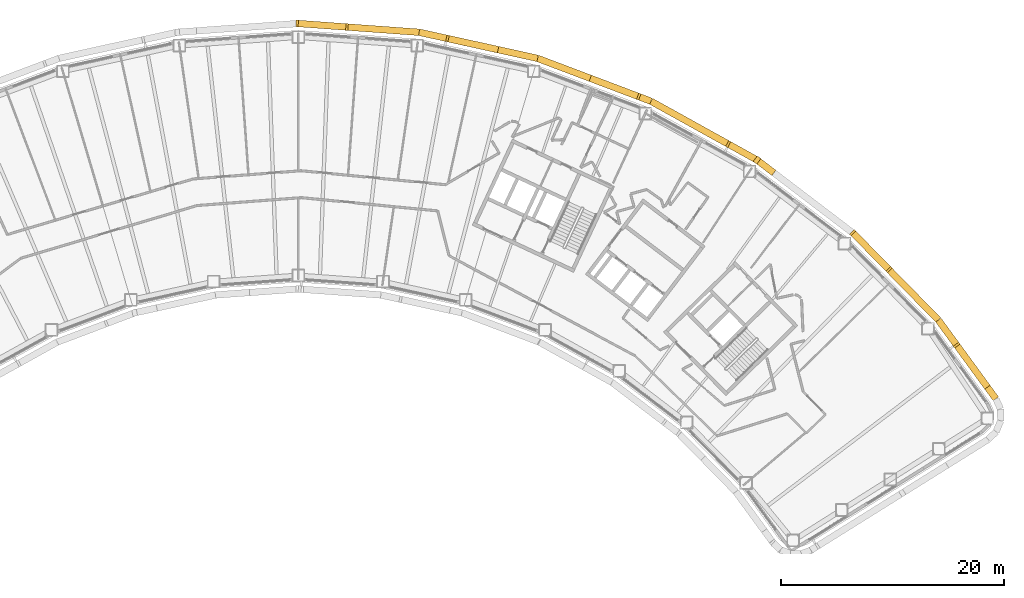
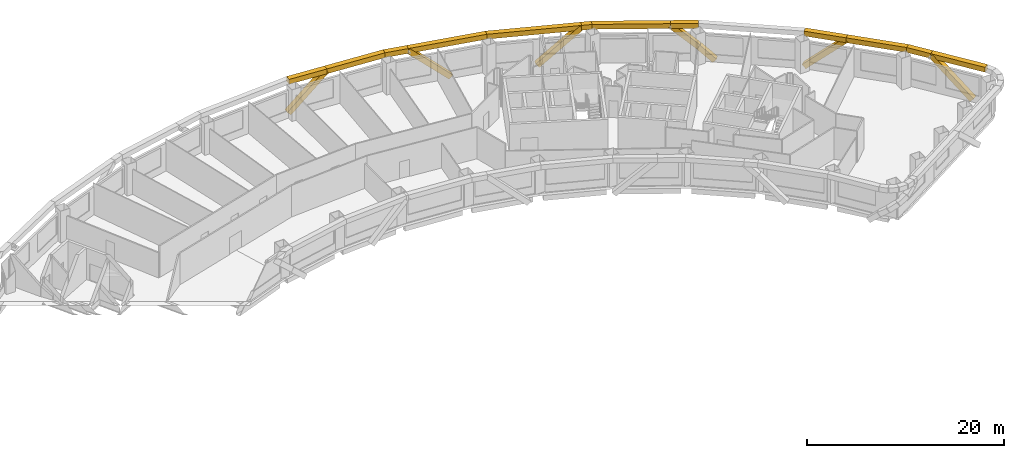
# One storey, part 15 of 16: 19 coverings.
"""IFC4 building model written with IfcOpenShell, lengths in metres."""

from ifc_helpers import new_model, si_unit, direction, frame, origin, origin_2d, place, context, subcontext, project, spatial, rectangle, extrude, material, material_profile, profile_set, type_object, element, save


model = new_model("IFC4")

# Units and contexts
model_context = context("Model", 3, precision=1e-05, world=origin(), true_north=direction((0.0, 1.0)))
body_context = subcontext(model_context, "Body", "Model", "MODEL_VIEW")
ifc_project = project(units=[si_unit("LENGTHUNIT", "METRE"), si_unit("AREAUNIT", "SQUARE_METRE"), si_unit("VOLUMEUNIT", "CUBIC_METRE"), si_unit("PLANEANGLEUNIT", "RADIAN"), si_unit("MASSUNIT", "GRAM", prefix="KILO")], contexts=[model_context])

# Site, building, storey
site_placement = place(None, origin())
site = spatial("IfcSite", under=ifc_project, at=site_placement, CompositionType="ELEMENT")
building_placement = place(site_placement, origin())
building = spatial("IfcBuilding", under=site, at=building_placement, Name="Tuul Gate Civic Tower", CompositionType="ELEMENT")
storey_placement = place(building_placement, frame((0.0, 0.0, 124.5)))
storey = spatial("IfcBuildingStorey", under=building, at=storey_placement, Name="Level 28", CompositionType="ELEMENT", Elevation=124.5)

# Coverings
ifc_material = material(Name="Terracotta baguette", Category="masonry")
ifc_material_profile = material_profile(ifc_material, rectangle(XDim=0.60009765625, YDim=0.60009765625, at=origin_2d()), Name="Terracotta baguette screen frame")
ifc_profile_set = profile_set([ifc_material_profile], Name="Terracotta baguette")
covering_type = type_object("IfcCoveringType", Name="Terracotta baguette screen frame", PredefinedType="CLADDING", material=ifc_profile_set)
covering_1_placement = place(storey_placement, frame((71.388427734375, -17.49755859375, -0.35009765625), z_axis=(-0.433801162455, 0.593931487153, 0.6775410984), x_axis=(-0.807537279361, -0.589816532866, 0.0)))
element("IfcCovering", 1, at=covering_1_placement, inside=storey, type_object=covering_type, Name="Baguette 20", PredefinedType="CLADDING", context=body_context, shape_type="SweptSolid", body=[
    extrude(rectangle(XDim=0.60009765625, YDim=0.60009765625, at=origin_2d()), origin(), (0.0, 0.0, 1.0), 6.19921875),
])
covering_2_placement = place(storey_placement, frame((68.69921875, -13.815673828125, 3.85009765625), z_axis=(-0.589849818938, 0.80751296652, 0.0), x_axis=(-0.80751296652, -0.589849818938, 0.0)))
element("IfcCovering", 2, at=covering_2_placement, inside=storey, type_object=covering_type, Name="Baguette 25", PredefinedType="CLADDING", context=body_context, shape_type="SweptSolid", body=[
    extrude(rectangle(XDim=0.60009765625, YDim=0.60009765625, at=origin_2d()), origin(), (0.0, 0.0, 1.0), 2.6796875),
])
covering_3_placement = place(storey_placement, frame((67.11865234375, -11.65185546875, 3.85009765625), z_axis=(-0.699983010406, 0.714159495591, 0.0), x_axis=(-0.714159495591, -0.699983010406, 0.0)))
element("IfcCovering", 3, at=covering_3_placement, inside=storey, type_object=covering_type, Name="Baguette 26", PredefinedType="CLADDING", context=body_context, shape_type="SweptSolid", body=[
    extrude(rectangle(XDim=0.60009765625, YDim=0.60009765625, at=origin_2d()), origin(), (0.0, 0.0, 1.0), 6.406494140625),
])
covering_4_placement = place(storey_placement, frame((62.63427734375, -7.07666015625, 3.85009765625), z_axis=(-0.513633604551, 0.5240312091, -0.67939076544), x_axis=(-0.714156278257, -0.699986292885, 0.0)))
element("IfcCovering", 4, at=covering_4_placement, inside=storey, type_object=covering_type, Name="Baguette 29", PredefinedType="CLADDING", context=body_context, shape_type="SweptSolid", body=[
    extrude(rectangle(XDim=0.60009765625, YDim=0.60009765625, at=origin_2d()), origin(), (0.0, 0.0, 1.0), 6.057861328125),
])
covering_5_placement = place(storey_placement, frame((52.23193359375, 1.649169921875, -0.35009765625), z_axis=(-0.583779439375, 0.444521507655, 0.679413125716), x_axis=(-0.605816557049, -0.795604360977, 0.0)))
element("IfcCovering", 5, at=covering_5_placement, inside=storey, type_object=covering_type, Name="Baguette 43", PredefinedType="CLADDING", context=body_context, shape_type="SweptSolid", body=[
    extrude(rectangle(XDim=0.60009765625, YDim=0.60009765625, at=origin_2d()), origin(), (0.0, 0.0, 1.0), 2.300048828125),
])
covering_6_placement = place(storey_placement, frame((50.88916015625, 2.671630859375, 1.212646484375), z_axis=(-0.641789413097, 0.355704156833, 0.679397455138), x_axis=(-0.484762160547, -0.874646012797, 0.0)))
element("IfcCovering", 6, at=covering_6_placement, inside=storey, type_object=covering_type, Name="Baguette 44", PredefinedType="CLADDING", context=body_context, shape_type="SweptSolid", body=[
    extrude(rectangle(XDim=0.60009765625, YDim=0.60009765625, at=origin_2d()), origin(), (0.0, 0.0, 1.0), 3.882080078125),
])
covering_7_placement = place(storey_placement, frame((48.397705078125, 4.052490234375, 3.85009765625), z_axis=(-0.874620231092, 0.484808675009, 0.0), x_axis=(-0.484808675009, -0.874620231092, 0.0)))
element("IfcCovering", 7, at=covering_7_placement, inside=storey, type_object=covering_type, Name="Baguette 49", PredefinedType="CLADDING", context=body_context, shape_type="SweptSolid", body=[
    extrude(rectangle(XDim=0.60009765625, YDim=0.60009765625, at=origin_2d()), origin(), (0.0, 0.0, 1.0), 8.0029296875),
])
covering_8_placement = place(storey_placement, frame((41.398193359375, 7.932373046875, 3.85009765625), z_axis=(-0.935406677507, 0.353573680688, 0.0), x_axis=(-0.353573680688, -0.935406677507, 0.0)))
element("IfcCovering", 8, at=covering_8_placement, inside=storey, type_object=covering_type, Name="Baguette 50", PredefinedType="CLADDING", context=body_context, shape_type="SweptSolid", body=[
    extrude(rectangle(XDim=0.60009765625, YDim=0.60009765625, at=origin_2d()), origin(), (0.0, 0.0, 1.0), 1.069580078125),
])
for number, where, z_axis, x_axis, name in (
    (9, (40.397705078125, 8.310546875, 3.85009765625), (-0.686330035929, 0.259501390534, -0.679418950349), (-0.353664314999, -0.935372413692, 0.0), "Baguette 52"),
    (10, (27.510986328125, 12.593505859375, -0.35009765625), (-0.716571151608, 0.157886550792, 0.679409759838), (-0.215174921103, -0.976575523617, 0.0), "Baguette 62"),
):
    element("IfcCovering", number, at=place(storey_placement, frame(where, z_axis=z_axis, x_axis=x_axis)), inside=storey, type_object=covering_type, Name=name, PredefinedType="CLADDING", context=body_context, shape_type="SweptSolid", body=[
        extrude(rectangle(XDim=0.60009765625, YDim=0.60009765625, at=origin_2d()), origin(), (0.0, 0.0, 1.0), 6.18212890625),
    ])
covering_9_placement = place(storey_placement, frame((23.0810546875, 13.569580078125, 3.85009765625), z_axis=(-0.976571103923, 0.215194978989, 0.0), x_axis=(-0.215194978989, -0.976571103923, 0.0)))
element("IfcCovering", 11, at=covering_9_placement, inside=storey, type_object=covering_type, Name="Baguette 67", PredefinedType="CLADDING", context=body_context, shape_type="SweptSolid", body=[
    extrude(rectangle(XDim=0.60009765625, YDim=0.60009765625, at=origin_2d()), origin(), (0.0, 0.0, 1.0), 2.488037109375),
])
covering_10_placement = place(storey_placement, frame((20.6513671875, 14.10498046875, 3.85009765625), z_axis=(-0.997379990438, 0.072340546539, 0.0), x_axis=(-0.072340546539, -0.997379990438, 0.0)))
element("IfcCovering", 12, at=covering_10_placement, inside=storey, type_object=covering_type, Name="Baguette 68", PredefinedType="CLADDING", context=body_context, shape_type="SweptSolid", body=[
    extrude(rectangle(XDim=0.60009765625, YDim=0.60009765625, at=origin_2d()), origin(), (0.0, 0.0, 1.0), 6.58447265625),
])
covering_11_placement = place(storey_placement, frame((14.084228515625, 14.581298828125, 3.85009765625), z_axis=(-0.731845860214, 0.05307551594, -0.679400196125), x_axis=(-0.07233283692, -0.997380549591, 0.0)))
element("IfcCovering", 13, at=covering_11_placement, inside=storey, type_object=covering_type, Name="Baguette 71", PredefinedType="CLADDING", context=body_context, shape_type="SweptSolid", body=[
    extrude(rectangle(XDim=0.60009765625, YDim=0.60009765625, at=origin_2d()), origin(), (0.0, 0.0, 1.0), 5.814208984375),
])
covering_12_placement = place(storey_placement, frame((62.63427734375, -7.07666015625, 3.85009765625), z_axis=(-0.699986292885, 0.714156278257, 0.0), x_axis=(-0.714156278257, -0.699986292885, 0.0)))
element("IfcCovering", 14, at=covering_12_placement, inside=storey, type_object=covering_type, Name="Baguette 415", PredefinedType="CLADDING", context=body_context, shape_type="SweptSolid", body=[
    extrude(rectangle(XDim=0.60009765625, YDim=0.60009765625, at=origin_2d()), origin(), (0.0, 0.0, 1.0), 4.445068359375),
])
covering_13_placement = place(storey_placement, frame((50.88916015625, 2.671630859375, 3.85009765625), z_axis=(-0.874646012797, 0.484762160547, 0.0), x_axis=(-0.484762160547, -0.874646012797, 0.0)))
element("IfcCovering", 15, at=covering_13_placement, inside=storey, type_object=covering_type, Name="Baguette 417", PredefinedType="CLADDING", context=body_context, shape_type="SweptSolid", body=[
    extrude(rectangle(XDim=0.60009765625, YDim=0.60009765625, at=origin_2d()), origin(), (0.0, 0.0, 1.0), 2.8486328125),
])
covering_14_placement = place(storey_placement, frame((40.397705078125, 8.310546875, 3.85009765625), z_axis=(-0.935377993624, 0.353649556827, 0.0), x_axis=(-0.353649556827, -0.935377993624, 0.0)))
element("IfcCovering", 16, at=covering_14_placement, inside=storey, type_object=covering_type, Name="Baguette 418", PredefinedType="CLADDING", context=body_context, shape_type="SweptSolid", body=[
    extrude(rectangle(XDim=0.60009765625, YDim=0.60009765625, at=origin_2d()), origin(), (0.0, 0.0, 1.0), 9.781494140625),
])
covering_15_placement = place(storey_placement, frame((31.248291015625, 11.769775390625, 3.85009765625), z_axis=(-0.97656881378, 0.215205371572, 0.0), x_axis=(-0.215205371572, -0.97656881378, 0.0)))
element("IfcCovering", 17, at=covering_15_placement, inside=storey, type_object=covering_type, Name="Baguette 419", PredefinedType="CLADDING", context=body_context, shape_type="SweptSolid", body=[
    extrude(rectangle(XDim=0.60009765625, YDim=0.60009765625, at=origin_2d()), origin(), (0.0, 0.0, 1.0), 8.36328125),
])
covering_16_placement = place(storey_placement, frame((14.084228515625, 14.581298828125, 3.85009765625), z_axis=(-0.997380549591, 0.07233283692, 0.0), x_axis=(-0.07233283692, -0.997380549591, 0.0)))
element("IfcCovering", 18, at=covering_16_placement, inside=storey, type_object=covering_type, Name="Baguette 420", PredefinedType="CLADDING", context=body_context, shape_type="SweptSolid", body=[
    extrude(rectangle(XDim=0.60009765625, YDim=0.60009765625, at=origin_2d()), origin(), (0.0, 0.0, 1.0), 4.266357421875),
])
covering_17_placement = place(storey_placement, frame((72.270263671875, -18.705078125, 3.85009765625), z_axis=(-0.58980325004, 0.807546980827, 0.0), x_axis=(-0.807546980827, -0.58980325004, 0.0)))
element("IfcCovering", 19, at=covering_17_placement, inside=storey, type_object=covering_type, Name="Baguette 452", PredefinedType="CLADDING", context=body_context, shape_type="SweptSolid", body=[
    extrude(rectangle(XDim=0.60009765625, YDim=0.60009765625, at=origin_2d()), origin(), (0.0, 0.0, 1.0), 6.0546875),
])

save(model, "model.ifc")
